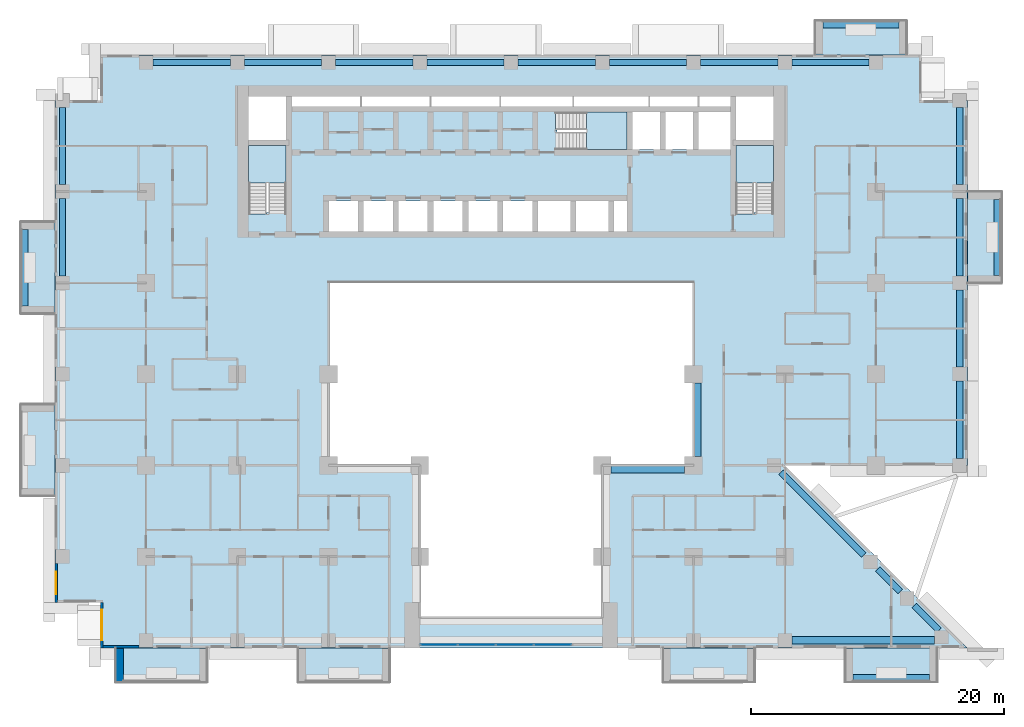
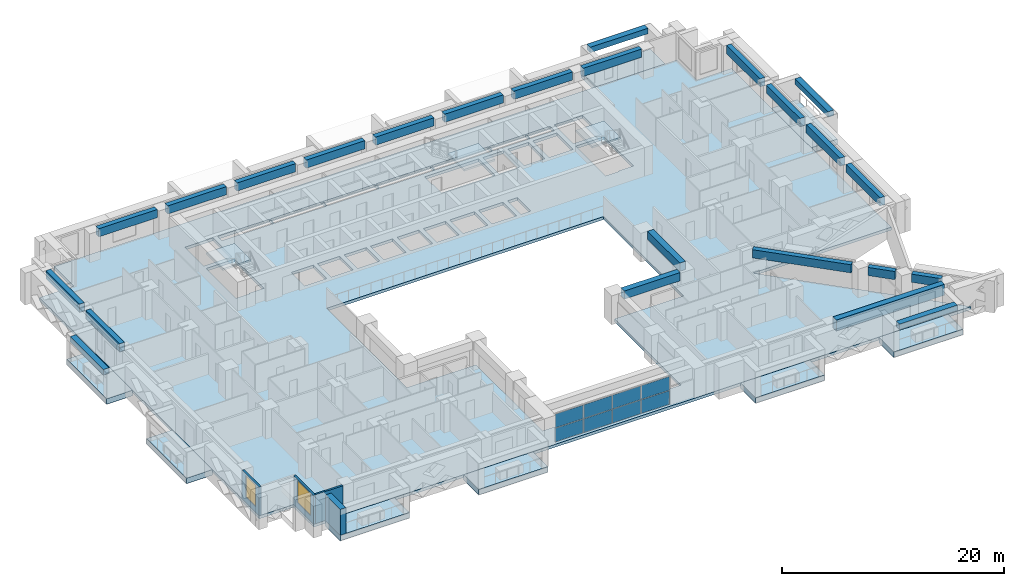
# One storey, part 5 of 17: 24 beams, 12 slabs, 8 plates, 4 walls, 2 windows, 2 openings, 4 elements without a shape of their own.
"""IFC4 building model written with IfcOpenShell, lengths in metres."""

from ifc_helpers import new_model, si_unit, direction, frame, frame_2d, origin, origin_2d, place, context, subcontext, project, spatial, polyline, rectangle, outline, extrude, source, transform, mapped, material, layer, layer_set, material_profile, profile_set, type_object, element, fill, aggregate, save


model = new_model("IFC4")

# Units and contexts
model_context = context("Model", 3, precision=1e-05, world=origin(), true_north=direction((0.0, 1.0)))
body_context = subcontext(model_context, "Body", "Model", "MODEL_VIEW")
ifc_project = project(units=[si_unit("LENGTHUNIT", "METRE"), si_unit("AREAUNIT", "SQUARE_METRE"), si_unit("VOLUMEUNIT", "CUBIC_METRE"), si_unit("PLANEANGLEUNIT", "RADIAN"), si_unit("MASSUNIT", "GRAM", prefix="KILO")], contexts=[model_context])

# Site, building, storey
site_placement = place(None, origin())
site = spatial("IfcSite", under=ifc_project, at=site_placement, CompositionType="ELEMENT")
building_placement = place(site_placement, origin())
building = spatial("IfcBuilding", under=site, at=building_placement, Name="Saffron Iwan Residences", CompositionType="ELEMENT")
storey_placement = place(building_placement, frame((0.0, 0.0, 41.0)))
storey = spatial("IfcBuildingStorey", under=building, at=storey_placement, Name="L09", CompositionType="ELEMENT", Elevation=41.0)

# Beams
ifc_material_1 = material(Name="Concrete C60/75", Category="concrete")
ifc_material_profile_1 = material_profile(ifc_material_1, rectangle(XDim=0.5, YDim=0.89990234375, at=origin_2d()), Name="RC 500x900")
ifc_profile_set_1 = profile_set([ifc_material_profile_1], Name="Concrete C60/75")
beam_type_1 = type_object("IfcBeamType", Name="SPANDREL BEAM RC 500x900 C60/75 TOP 3180", PredefinedType="SPANDREL", material=ifc_profile_set_1)
shared_shape_1 = source(origin(), body_context, "Body", "SweptSolid", [
    extrude(rectangle(XDim=0.5, YDim=0.89990234375, at=origin_2d()), origin(), (0.0, 0.0, 1.0), 6.10009765625),
])
for number, where, z_axis, x_axis, name in (
    (1, (85.800048828125, 61.85009765625, 2.72998046875), (0.0, -1.0, 0.0), (1.0, 0.0, 0.0), "Spandrel beam"),
    (2, (15.0, 62.949951171875, 2.72998046875), (0.0, 1.0, 0.0), (-1.0, 0.0, 0.0), "Spandrel beam"),
    (3, (85.800048828125, 69.050048828125, 2.72998046875), (0.0, -1.0, 0.0), (1.0, 0.0, 0.0), "Spandrel beam"),
    (4, (15.0, 70.14990234375, 2.72998046875), (0.0, 1.0, 0.0), (-1.0, 0.0, 0.0), "Spandrel beam"),
    (5, (85.800048828125, 76.25, 2.72998046875), (0.0, -1.0, 0.0), (1.0, 0.0, 0.0), "Spandrel beam"),
    (6, (22.14990234375, 79.800048828125, 2.72998046875), (1.0, 0.0, 0.0), (0.0, 1.0, 0.0), "Spandrel beam"),
    (7, (43.75, 79.800048828125, 2.72998046875), (1.0, 0.0, 0.0), (0.0, 1.0, 0.0), "Spandrel beam"),
    (8, (50.949951171875, 79.800048828125, 2.72998046875), (1.0, 0.0, 0.0), (0.0, 1.0, 0.0), "Spandrel beam"),
    (9, (58.14990234375, 79.800048828125, 2.72998046875), (1.0, 0.0, 0.0), (0.0, 1.0, 0.0), "Spandrel beam"),
):
    element("IfcBeam", number, at=place(storey_placement, frame(where, z_axis=z_axis, x_axis=x_axis)), inside=storey, type_object=beam_type_1, Name=name, PredefinedType="SPANDREL", context=body_context, shape_type="MappedRepresentation", body=[
        mapped(shared_shape_1, transform((0.0, 0.0, 0.0))),
    ])
shared_shape_2 = source(origin(), body_context, "Body", "SweptSolid", [
    extrude(rectangle(XDim=0.5, YDim=0.89990234375, at=origin_2d()), origin(), (0.0, 0.0, 1.0), 6.099853515625),
])
for number, where, z_axis, x_axis, name in (
    (10, (85.800048828125, 54.64990234375, 2.72998046875), (0.0, -1.0, 0.0), (1.0, 0.0, 0.0), "Spandrel beam"),
    (11, (29.35009765625, 79.800048828125, 2.72998046875), (1.0, 0.0, 0.0), (0.0, 1.0, 0.0), "Spandrel beam"),
    (12, (36.550048828125, 79.800048828125, 2.72998046875), (1.0, 0.0, 0.0), (0.0, 1.0, 0.0), "Spandrel beam"),
    (13, (65.35009765625, 79.800048828125, 2.72998046875), (1.0, 0.0, 0.0), (0.0, 1.0, 0.0), "Spandrel beam"),
    (14, (72.550048828125, 79.800048828125, 2.72998046875), (1.0, 0.0, 0.0), (0.0, 1.0, 0.0), "Spandrel beam"),
):
    element("IfcBeam", number, at=place(storey_placement, frame(where, z_axis=z_axis, x_axis=x_axis)), inside=storey, type_object=beam_type_1, Name=name, PredefinedType="SPANDREL", context=body_context, shape_type="MappedRepresentation", body=[
        mapped(shared_shape_2, transform((0.0, 0.0, 0.0))),
    ])
shared_shape_3 = source(origin(), body_context, "Body", "SweptSolid", [
    extrude(rectangle(XDim=0.5, YDim=0.89990234375, at=origin_2d()), origin(), (0.0, 0.0, 1.0), 2.76318359375),
])
beam_1_placement = place(storey_placement, frame((82.205810546875, 36.94580078125, 2.72998046875), z_axis=(0.707106781187, -0.707106781187, 0.0), x_axis=(0.707106781187, 0.707106781187, 0.0)))
element("IfcBeam", 15, at=beam_1_placement, inside=storey, type_object=beam_type_1, Name="Spandrel beam", PredefinedType="SPANDREL", context=body_context, shape_type="MappedRepresentation", body=[
    mapped(shared_shape_3, transform((0.0, 0.0, 0.0))),
])
shared_shape_4 = source(origin(), body_context, "Body", "SweptSolid", [
    extrude(rectangle(XDim=0.5, YDim=0.89990234375, at=origin_2d()), origin(), (0.0, 0.0, 1.0), 2.517333984375),
])
beam_2_placement = place(storey_placement, frame((79.32568359375, 39.82568359375, 2.72998046875), z_axis=(0.707106781187, -0.707106781187, 0.0), x_axis=(0.707106781187, 0.707106781187, 0.0)))
element("IfcBeam", 16, at=beam_2_placement, inside=storey, type_object=beam_type_1, Name="Spandrel beam", PredefinedType="SPANDREL", context=body_context, shape_type="MappedRepresentation", body=[
    mapped(shared_shape_4, transform((0.0, 0.0, 0.0))),
])
shared_shape_5 = source(origin(), body_context, "Body", "SweptSolid", [
    extrude(rectangle(XDim=0.5, YDim=0.89990234375, at=origin_2d()), origin(), (0.0, 0.0, 1.0), 9.228759765625),
])
beam_3_placement = place(storey_placement, frame((71.699951171875, 47.451416015625, 2.72998046875), z_axis=(0.707120008149, -0.707093553977, 0.0), x_axis=(0.707093553977, 0.707120008149, 0.0)))
element("IfcBeam", 17, at=beam_3_placement, inside=storey, type_object=beam_type_1, Name="Spandrel beam", PredefinedType="SPANDREL", context=body_context, shape_type="MappedRepresentation", body=[
    mapped(shared_shape_5, transform((0.0, 0.0, 0.0))),
])
ifc_material_profile_2 = material_profile(ifc_material_1, rectangle(XDim=0.60009765625, YDim=1.199951171875, at=origin_2d()), Name="RC 600x1200")
ifc_profile_set_2 = profile_set([ifc_material_profile_2], Name="Concrete C60/75")
beam_type_2 = type_object("IfcBeamType", Name="LINTEL BEAM RC 600x1200 C60/75 TOP 3180", PredefinedType="LINTEL", material=ifc_profile_set_2)
shared_shape_6 = source(origin(), body_context, "Body", "SweptSolid", [
    extrude(rectangle(XDim=0.60009765625, YDim=1.199951171875, at=origin_2d()), origin(), (0.0, 0.0, 1.0), 11.267333984375),
])
beam_4_placement = place(storey_placement, frame((83.8173828125, 34.199951171875, 2.580078125), z_axis=(-1.0, 0.0, 0.0), x_axis=(0.0, -1.0, 0.0)))
element("IfcBeam", 18, at=beam_4_placement, inside=storey, type_object=beam_type_2, Name="Lintel beam over the iwan", PredefinedType="LINTEL", context=body_context, shape_type="MappedRepresentation", body=[
    mapped(shared_shape_6, transform((0.0, 0.0, 0.0))),
])
ifc_material_profile_3 = material_profile(ifc_material_1, rectangle(XDim=0.60009765625, YDim=0.89990234375, at=origin_2d()), Name="RC 600x900")
ifc_profile_set_3 = profile_set([ifc_material_profile_3], Name="Concrete C60/75")
beam_type_3 = type_object("IfcBeamType", Name="BEAM RC 600x900 C60/75 TOP 3180", PredefinedType="BEAM", material=ifc_profile_set_3)
shared_shape_7 = source(origin(), body_context, "Body", "SweptSolid", [
    extrude(rectangle(XDim=0.60009765625, YDim=0.89990234375, at=origin_2d()), origin(), (0.0, 0.0, 1.0), 5.800048828125),
])
for number, where, z_axis, x_axis, name in (
    (19, (64.10009765625, 47.699951171875, 2.72998046875), (-1.0, 0.0, 0.0), (0.0, -1.0, 0.0), "Atrium edge beam"),
    (20, (65.10009765625, 54.5, 2.72998046875), (0.0, -1.0, 0.0), (1.0, 0.0, 0.0), "Atrium edge beam"),
):
    element("IfcBeam", number, at=place(storey_placement, frame(where, z_axis=z_axis, x_axis=x_axis)), inside=storey, type_object=beam_type_3, Name=name, PredefinedType="BEAM", context=body_context, shape_type="MappedRepresentation", body=[
        mapped(shared_shape_7, transform((0.0, 0.0, 0.0))),
    ])
ifc_material_2 = material(Name="Concrete C50/60 white painted", Category="concrete")
ifc_material_profile_4 = material_profile(ifc_material_2, rectangle(XDim=0.60009765625, YDim=0.60009765625, at=origin_2d()), Name="BALCONY FASCIA BEAM 600 x 600")
ifc_profile_set_4 = profile_set([ifc_material_profile_4], Name="Concrete C50/60 white painted")
beam_type_4 = type_object("IfcBeamType", Name="BALCONY FASCIA BEAM 600 x 600", PredefinedType="BEAM", material=ifc_profile_set_4)
shared_shape_8 = source(origin(), body_context, "Body", "SweptSolid", [
    extrude(rectangle(XDim=0.60009765625, YDim=0.60009765625, at=origin_2d()), origin(), (0.0, 0.0, 1.0), 6.0),
])
for number, where, z_axis, x_axis, name in (
    (21, (88.800048828125, 63.0, 2.550048828125), (0.0, 1.0, 0.0), (-1.0, 0.0, 0.0), "Balcony fascia beam L09 F2-0"),
    (22, (81.0, 82.800048828125, 2.550048828125), (-1.0, 0.0, 0.0), (0.0, -1.0, 0.0), "Balcony fascia beam L09 F5-0"),
    (23, (12.0, 66.60009765625, 2.550048828125), (0.0, -1.0, 0.0), (1.0, 0.0, 0.0), "Balcony fascia beam L09 F8-0"),
    (24, (77.39990234375, 31.199951171875, 2.550048828125), (1.0, 0.0, 0.0), (0.0, 1.0, 0.0), "Balcony fascia beam L09 11-3"),
):
    element("IfcBeam", number, at=place(storey_placement, frame(where, z_axis=z_axis, x_axis=x_axis)), inside=storey, type_object=beam_type_4, Name=name, PredefinedType="BEAM", context=body_context, shape_type="MappedRepresentation", body=[
        mapped(shared_shape_8, transform((0.0, 0.0, 0.0))),
    ])

# Slabs
ifc_layer_1 = layer(ifc_material_2, 0.60009765625)
ifc_layer_set_1 = layer_set([ifc_layer_1], Name="Concrete C50/60 white painted")
slab_type_1 = type_object("IfcSlabType", Name="BALCONY FRAME SLAB 600", PredefinedType="FLOOR", material=ifc_layer_set_1)
slab_1_placement = place(storey_placement, frame((0.0, 0.0, -0.60009765625)))
element("IfcSlab", 25, at=slab_1_placement, inside=storey, type_object=slab_type_1, Name="Balcony frame slab L09 F2-0", PredefinedType="FLOOR", context=body_context, shape_type="SweptSolid", body=[
    extrude(outline(polyline([(89.10009765625, 62.39990234375), (89.10009765625, 69.60009765625), (86.39990234375, 69.60009765625), (86.39990234375, 62.39990234375), (89.10009765625, 62.39990234375)])), origin(), (0.0, 0.0, 1.0), 0.60009765625),
])
slab_2_placement = place(storey_placement, frame((0.0, 0.0, -0.60009765625)))
element("IfcSlab", 26, at=slab_2_placement, inside=storey, type_object=slab_type_1, Name="Balcony frame slab L09 F5-0", PredefinedType="FLOOR", context=body_context, shape_type="SweptSolid", body=[
    extrude(outline(polyline([(81.60009765625, 83.10009765625), (74.39990234375, 83.10009765625), (74.39990234375, 80.39990234375), (81.60009765625, 80.39990234375), (81.60009765625, 83.10009765625)])), origin(), (0.0, 0.0, 1.0), 0.60009765625),
])
slab_3_placement = place(storey_placement, frame((0.0, 0.0, -0.60009765625)))
element("IfcSlab", 27, at=slab_3_placement, inside=storey, type_object=slab_type_1, Name="Balcony frame slab L09 F8-0", PredefinedType="FLOOR", context=body_context, shape_type="SweptSolid", body=[
    extrude(outline(polyline([(11.699951171875, 67.199951171875), (11.699951171875, 60.0), (14.39990234375, 60.0), (14.39990234375, 67.199951171875), (11.699951171875, 67.199951171875)])), origin(), (0.0, 0.0, 1.0), 0.60009765625),
])
slab_4_placement = place(storey_placement, frame((0.0, 0.0, -0.60009765625)))
element("IfcSlab", 28, at=slab_4_placement, inside=storey, type_object=slab_type_1, Name="Balcony frame slab L09 F8-1", PredefinedType="FLOOR", context=body_context, shape_type="SweptSolid", body=[
    extrude(outline(polyline([(11.699951171875, 52.800048828125), (11.699951171875, 45.60009765625), (14.39990234375, 45.60009765625), (14.39990234375, 52.800048828125), (11.699951171875, 52.800048828125)])), origin(), (0.0, 0.0, 1.0), 0.60009765625),
])
slab_5_placement = place(storey_placement, frame((0.0, 0.0, -0.60009765625)))
element("IfcSlab", 29, at=slab_5_placement, inside=storey, type_object=slab_type_1, Name="Balcony frame slab L09 11-0", PredefinedType="FLOOR", context=body_context, shape_type="SweptSolid", body=[
    extrude(outline(polyline([(19.199951171875, 30.89990234375), (26.39990234375, 30.89990234375), (26.39990234375, 33.60009765625), (19.199951171875, 33.60009765625), (19.199951171875, 30.89990234375)])), origin(), (0.0, 0.0, 1.0), 0.60009765625),
])
slab_6_placement = place(storey_placement, frame((0.0, 0.0, -0.60009765625)))
element("IfcSlab", 30, at=slab_6_placement, inside=storey, type_object=slab_type_1, Name="Balcony frame slab L09 11-1", PredefinedType="FLOOR", context=body_context, shape_type="SweptSolid", body=[
    extrude(outline(polyline([(33.60009765625, 30.89990234375), (40.800048828125, 30.89990234375), (40.800048828125, 33.60009765625), (33.60009765625, 33.60009765625), (33.60009765625, 30.89990234375)])), origin(), (0.0, 0.0, 1.0), 0.60009765625),
])
slab_7_placement = place(storey_placement, frame((0.0, 0.0, -0.60009765625)))
element("IfcSlab", 31, at=slab_7_placement, inside=storey, type_object=slab_type_1, Name="Balcony frame slab L09 11-2", PredefinedType="FLOOR", context=body_context, shape_type="SweptSolid", body=[
    extrude(outline(polyline([(62.39990234375, 30.89990234375), (69.60009765625, 30.89990234375), (69.60009765625, 33.60009765625), (62.39990234375, 33.60009765625), (62.39990234375, 30.89990234375)])), origin(), (0.0, 0.0, 1.0), 0.60009765625),
])
slab_8_placement = place(storey_placement, frame((0.0, 0.0, -0.60009765625)))
element("IfcSlab", 32, at=slab_8_placement, inside=storey, type_object=slab_type_1, Name="Balcony frame slab L09 11-3", PredefinedType="FLOOR", context=body_context, shape_type="SweptSolid", body=[
    extrude(outline(polyline([(76.800048828125, 30.89990234375), (84.0, 30.89990234375), (84.0, 33.60009765625), (76.800048828125, 33.60009765625), (76.800048828125, 30.89990234375)])), origin(), (0.0, 0.0, 1.0), 0.60009765625),
])
ifc_material_3 = material(Name="Concrete C40/50", Category="concrete")
ifc_layer_2 = layer(ifc_material_3, 0.320068359375)
ifc_layer_set_2 = layer_set([ifc_layer_2], Name="Concrete C40/50")
slab_type_2 = type_object("IfcSlabType", Name="PT PLATE 320 C40/50", PredefinedType="FLOOR", material=ifc_layer_set_2)
slab_9_placement = place(storey_placement, frame((0.0, 0.0, -0.320068359375)))
element("IfcSlab", 33, at=slab_9_placement, inside=storey, type_object=slab_type_2, Name="Floor slab L09", PredefinedType="FLOOR", context=body_context, shape_type="SweptSolid", body=[
    extrude(outline(polyline([(14.39990234375, 37.199951171875), (14.39990234375, 76.800048828125), (18.0, 76.800048828125), (18.0, 80.39990234375), (82.800048828125, 80.39990234375), (82.800048828125, 76.800048828125), (86.39990234375, 76.800048828125), (86.39990234375, 48.0), (72.0, 48.0), (86.39990234375, 33.60009765625), (18.0, 33.60009765625), (18.0, 37.199951171875), (14.39990234375, 37.199951171875)]), holes=[polyline([(64.800048828125, 48.0), (64.800048828125, 62.39990234375), (36.0, 62.39990234375), (36.0, 48.0), (43.199951171875, 48.0), (43.199951171875, 36.0), (57.60009765625, 36.0), (57.60009765625, 48.0), (64.800048828125, 48.0)]), polyline([(38.324951171875, 68.875), (36.02490234375, 68.875), (36.02490234375, 66.449951171875), (38.324951171875, 66.449951171875), (38.324951171875, 68.875)]), polyline([(41.074951171875, 66.449951171875), (41.074951171875, 68.875), (38.77490234375, 68.875), (38.77490234375, 66.449951171875), (41.074951171875, 66.449951171875)]), polyline([(43.824951171875, 66.449951171875), (43.824951171875, 68.875), (41.52490234375, 68.875), (41.52490234375, 66.449951171875), (43.824951171875, 66.449951171875)]), polyline([(46.574951171875, 68.875), (44.27490234375, 68.875), (44.27490234375, 66.449951171875), (46.574951171875, 66.449951171875), (46.574951171875, 68.875)]), polyline([(49.324951171875, 66.449951171875), (49.324951171875, 68.875), (47.02490234375, 68.875), (47.02490234375, 66.449951171875), (49.324951171875, 66.449951171875)]), polyline([(52.074951171875, 66.449951171875), (52.074951171875, 68.875), (49.77490234375, 68.875), (49.77490234375, 66.449951171875), (52.074951171875, 66.449951171875)]), polyline([(29.699951171875, 73.25), (29.699951171875, 67.949951171875), (29.699951171875, 67.8505859375), (31.10009765625, 67.8505859375), (31.10009765625, 67.949951171875), (32.64990234375, 67.949951171875), (32.64990234375, 73.25), (29.699951171875, 73.25)]), polyline([(32.64990234375, 73.699951171875), (32.64990234375, 77.10009765625), (29.699951171875, 77.10009765625), (29.699951171875, 73.699951171875), (32.64990234375, 73.699951171875)]), polyline([(38.5, 76.324951171875), (38.5, 77.10009765625), (33.10009765625, 77.10009765625), (33.10009765625, 76.324951171875), (38.5, 76.324951171875)]), polyline([(44.0, 77.10009765625), (38.60009765625, 77.10009765625), (38.60009765625, 76.324951171875), (44.0, 76.324951171875), (44.0, 77.10009765625)]), polyline([(49.5, 76.324951171875), (49.5, 77.10009765625), (44.10009765625, 77.10009765625), (44.10009765625, 76.324951171875), (49.5, 76.324951171875)]), polyline([(55.25, 76.324951171875), (55.25, 77.10009765625), (49.60009765625, 77.10009765625), (49.60009765625, 76.324951171875), (55.25, 76.324951171875)]), polyline([(55.074951171875, 68.875), (52.52490234375, 68.875), (52.52490234375, 66.449951171875), (55.074951171875, 66.449951171875), (55.074951171875, 68.875)]), polyline([(58.074951171875, 66.449951171875), (58.074951171875, 68.875), (55.52490234375, 68.875), (55.52490234375, 66.449951171875), (58.074951171875, 66.449951171875)]), polyline([(59.550048828125, 66.449951171875), (59.550048828125, 68.875), (58.52490234375, 68.875), (58.52490234375, 66.449951171875), (59.550048828125, 66.449951171875)]), polyline([(68.14990234375, 73.25), (68.14990234375, 67.949951171875), (68.14990234375, 67.8505859375), (69.550048828125, 67.8505859375), (69.550048828125, 67.949951171875), (71.10009765625, 67.949951171875), (71.10009765625, 73.25), (68.14990234375, 73.25)]), polyline([(53.925537109375, 74.47509765625), (54.02490234375, 74.47509765625), (54.02490234375, 72.925048828125), (59.550048828125, 72.925048828125), (59.550048828125, 75.875), (54.02490234375, 75.875), (53.925537109375, 75.875), (53.925537109375, 74.47509765625)]), polyline([(62.14990234375, 72.925048828125), (62.14990234375, 75.875), (60.0, 75.875), (60.0, 72.925048828125), (62.14990234375, 72.925048828125)]), polyline([(64.75, 75.875), (62.60009765625, 75.875), (62.60009765625, 72.925048828125), (64.75, 72.925048828125), (64.75, 75.875)]), polyline([(67.699951171875, 72.925048828125), (67.699951171875, 75.875), (65.199951171875, 75.875), (65.199951171875, 72.925048828125), (67.699951171875, 72.925048828125)]), polyline([(71.10009765625, 73.699951171875), (71.10009765625, 77.10009765625), (68.14990234375, 77.10009765625), (68.14990234375, 73.699951171875), (71.10009765625, 73.699951171875)]), polyline([(61.25, 77.10009765625), (55.35009765625, 77.10009765625), (55.35009765625, 76.324951171875), (61.25, 76.324951171875), (61.25, 77.10009765625)]), polyline([(65.14990234375, 76.324951171875), (65.14990234375, 77.10009765625), (61.35009765625, 77.10009765625), (61.35009765625, 76.324951171875), (65.14990234375, 76.324951171875)]), polyline([(67.699951171875, 76.324951171875), (67.699951171875, 77.10009765625), (65.25, 77.10009765625), (65.25, 76.324951171875), (67.699951171875, 76.324951171875)])]), origin(), (0.0, 0.0, 1.0), 0.320068359375),
])

# Stair, slab
ifc_material_4 = material(Name="Concrete C50/60", Category="concrete")
stair_type = type_object("IfcStairType", Name="Stair ST-CORE", PredefinedType="HALF_TURN_STAIR", material=ifc_material_4)
stair_1_placement = place(storey_placement, origin())
stair_1 = element("IfcStair", 34, at=stair_1_placement, inside=storey, type_object=stair_type, Name="L09 Exit Stair ST-W", PredefinedType="HALF_TURN_STAIR")
ifc_layer_3 = layer(ifc_material_4, 0.199951171875)
ifc_layer_set_3 = layer_set([ifc_layer_3], Name="Concrete C50/60")
slab_type_3 = type_object("IfcSlabType", Name="Stair landing SL-RC", PredefinedType="LANDING", material=ifc_layer_set_3)
slab_10_placement = place(storey_placement, frame((0.0, 0.0, 1.5498046875)))
slab_10 = element("IfcSlab", 35, at=slab_10_placement, type_object=slab_type_3, Name="ST-W landing 1", PredefinedType="LANDING", context=body_context, shape_type="SweptSolid", body=[
    extrude(outline(polyline([(32.64990234375, 70.280029296875), (32.64990234375, 73.25), (29.699951171875, 73.25), (29.699951171875, 70.280029296875), (32.64990234375, 70.280029296875)])), origin(), (0.0, 0.0, 1.0), 0.2001953125),
])
aggregate(stair_1, [slab_10])

stair_2_placement = place(storey_placement, origin())
stair_2 = element("IfcStair", 36, at=stair_2_placement, inside=storey, type_object=stair_type, Name="L09 Exit Stair ST-C", PredefinedType="HALF_TURN_STAIR")
slab_11_placement = place(storey_placement, frame((0.0, 0.0, 1.5498046875)))
slab_11 = element("IfcSlab", 37, at=slab_11_placement, type_object=slab_type_3, Name="ST-C landing 1", PredefinedType="LANDING", context=body_context, shape_type="SweptSolid", body=[
    extrude(outline(polyline([(56.35498046875, 72.925048828125), (59.550048828125, 72.925048828125), (59.550048828125, 75.875), (56.35498046875, 75.875), (56.35498046875, 72.925048828125)])), origin(), (0.0, 0.0, 1.0), 0.2001953125),
])
aggregate(stair_2, [slab_11])

stair_3_placement = place(storey_placement, origin())
stair_3 = element("IfcStair", 38, at=stair_3_placement, inside=storey, type_object=stair_type, Name="L09 Exit Stair ST-E", PredefinedType="HALF_TURN_STAIR")
slab_12_placement = place(storey_placement, frame((0.0, 0.0, 1.5498046875)))
slab_12 = element("IfcSlab", 39, at=slab_12_placement, type_object=slab_type_3, Name="ST-E landing 1", PredefinedType="LANDING", context=body_context, shape_type="SweptSolid", body=[
    extrude(outline(polyline([(71.10009765625, 70.280029296875), (71.10009765625, 73.25), (68.14990234375, 73.25), (68.14990234375, 70.280029296875), (71.10009765625, 70.280029296875)])), origin(), (0.0, 0.0, 1.0), 0.2001953125),
])
aggregate(stair_3, [slab_12])

# Curtain wall, plates
ifc_material_5 = material(Name="Clear glass, laminated double glazed", Category="glass")
ifc_layer_4 = layer(ifc_material_5, 0.199951171875)
ifc_layer_set_4 = layer_set([ifc_layer_4], Name="Clear glass, laminated double glazed")
curtain_wall_type = type_object("IfcCurtainWallType", Name="CW-B IWAN PORTAL", PredefinedType="NOTDEFINED", material=ifc_layer_set_4)
curtain_wall_placement = place(storey_placement, origin())
curtain_wall = element("IfcCurtainWall", 40, at=curtain_wall_placement, inside=storey, type_object=curtain_wall_type, Name="Iwan portal glazing L09.1", PredefinedType="NOTDEFINED")
ifc_layer_5 = layer(ifc_material_5, 0.028076171875)
ifc_layer_set_5 = layer_set([ifc_layer_5], Name="Clear glass, laminated double glazed")
plate_type = type_object("IfcPlateType", Name="CW-B PANEL 28", PredefinedType="CURTAIN_PANEL", material=ifc_layer_set_5)
shared_shape_9 = source(origin(), body_context, "Body", "SweptSolid", [
    extrude(rectangle(XDim=2.909912109375, YDim=0.028076171875, at=origin_2d()), origin(), (0.0, 0.0, 1.0), 1.5),
])
plate_1_placement = place(storey_placement, frame((44.715087890625, 33.85009765625, 0.06005859375), z_axis=(0.0, 0.0, 1.0), x_axis=(1.0, 0.0, 0.0)))
plate_1 = element("IfcPlate", 41, at=plate_1_placement, type_object=plate_type, Name="CW-B panel 1.1", PredefinedType="CURTAIN_PANEL", context=body_context, shape_type="MappedRepresentation", body=[
    mapped(shared_shape_9, transform((0.0, 0.0, 0.0))),
])
plate_2_placement = place(storey_placement, frame((44.715087890625, 33.85009765625, 1.6201171875), z_axis=(0.0, 0.0, 1.0), x_axis=(1.0, 0.0, 0.0)))
plate_2 = element("IfcPlate", 42, at=plate_2_placement, type_object=plate_type, Name="CW-B panel 1.2", PredefinedType="CURTAIN_PANEL", context=body_context, shape_type="MappedRepresentation", body=[
    mapped(shared_shape_9, transform((0.0, 0.0, 0.0))),
])
plate_3_placement = place(storey_placement, frame((53.68505859375, 33.85009765625, 0.06005859375), z_axis=(0.0, 0.0, 1.0), x_axis=(1.0, 0.0, 0.0)))
plate_3 = element("IfcPlate", 43, at=plate_3_placement, type_object=plate_type, Name="CW-B panel 4.1", PredefinedType="CURTAIN_PANEL", context=body_context, shape_type="MappedRepresentation", body=[
    mapped(shared_shape_9, transform((0.0, 0.0, 0.0))),
])
plate_4_placement = place(storey_placement, frame((53.68505859375, 33.85009765625, 1.6201171875), z_axis=(0.0, 0.0, 1.0), x_axis=(1.0, 0.0, 0.0)))
plate_4 = element("IfcPlate", 44, at=plate_4_placement, type_object=plate_type, Name="CW-B panel 4.2", PredefinedType="CURTAIN_PANEL", context=body_context, shape_type="MappedRepresentation", body=[
    mapped(shared_shape_9, transform((0.0, 0.0, 0.0))),
])
shared_shape_10 = source(origin(), body_context, "Body", "SweptSolid", [
    extrude(rectangle(XDim=2.93994140625, YDim=0.028076171875, at=origin_2d()), origin(), (0.0, 0.0, 1.0), 1.5),
])
plate_5_placement = place(storey_placement, frame((47.699951171875, 33.85009765625, 0.06005859375), z_axis=(0.0, 0.0, 1.0), x_axis=(1.0, 0.0, 0.0)))
plate_5 = element("IfcPlate", 45, at=plate_5_placement, type_object=plate_type, Name="CW-B panel 2.1", PredefinedType="CURTAIN_PANEL", context=body_context, shape_type="MappedRepresentation", body=[
    mapped(shared_shape_10, transform((0.0, 0.0, 0.0))),
])
plate_6_placement = place(storey_placement, frame((47.699951171875, 33.85009765625, 1.6201171875), z_axis=(0.0, 0.0, 1.0), x_axis=(1.0, 0.0, 0.0)))
plate_6 = element("IfcPlate", 46, at=plate_6_placement, type_object=plate_type, Name="CW-B panel 2.2", PredefinedType="CURTAIN_PANEL", context=body_context, shape_type="MappedRepresentation", body=[
    mapped(shared_shape_10, transform((0.0, 0.0, 0.0))),
])
plate_7_placement = place(storey_placement, frame((50.699951171875, 33.85009765625, 0.06005859375), z_axis=(0.0, 0.0, 1.0), x_axis=(1.0, 0.0, 0.0)))
plate_7 = element("IfcPlate", 47, at=plate_7_placement, type_object=plate_type, Name="CW-B panel 3.1", PredefinedType="CURTAIN_PANEL", context=body_context, shape_type="MappedRepresentation", body=[
    mapped(shared_shape_10, transform((0.0, 0.0, 0.0))),
])
plate_8_placement = place(storey_placement, frame((50.699951171875, 33.85009765625, 1.6201171875), z_axis=(0.0, 0.0, 1.0), x_axis=(1.0, 0.0, 0.0)))
plate_8 = element("IfcPlate", 48, at=plate_8_placement, type_object=plate_type, Name="CW-B panel 3.2", PredefinedType="CURTAIN_PANEL", context=body_context, shape_type="MappedRepresentation", body=[
    mapped(shared_shape_10, transform((0.0, 0.0, 0.0))),
])
aggregate(curtain_wall, [plate_1, plate_2, plate_5, plate_6, plate_7, plate_8, plate_3, plate_4])

# Wall
ifc_layer_6 = layer(ifc_material_2, 0.60009765625)
ifc_layer_set_6 = layer_set([ifc_layer_6], Name="Concrete C50/60 white painted")
wall_type_1 = type_object("IfcWallType", Name="BALCONY FIN 600", PredefinedType="SOLIDWALL", material=ifc_layer_set_6)
wall_1_placement = place(storey_placement, frame((19.5, 33.550048828125, 0.0), z_axis=(0.0, 0.0, 1.0), x_axis=(0.0, -1.0, 0.0)))
element("IfcWall", 49, at=wall_1_placement, inside=storey, type_object=wall_type_1, Name="Balcony fin L09 11-0a", PredefinedType="SOLIDWALL", context=body_context, shape_type="SweptSolid", body=[
    extrude(rectangle(XDim=2.650146484375, YDim=0.60009765625, at=frame_2d((1.3251953125, 0.0))), origin(), (0.0, 0.0, 1.0), 2.85009765625),
])

# Wall, opening, window
ifc_layer_7 = layer(ifc_material_3, 0.199951171875)
ifc_layer_set_7 = layer_set([ifc_layer_7], Name="Concrete C40/50")
wall_type_2 = type_object("IfcWallType", Name="EXTERNAL WALL 200", PredefinedType="SOLIDWALL", material=ifc_layer_set_7)
wall_2_placement = place(storey_placement, frame((14.5, 40.25, 0.0), z_axis=(0.0, 0.0, 1.0), x_axis=(0.0, -1.0, 0.0)))
wall_2 = element("IfcWall", 50, at=wall_2_placement, inside=storey, type_object=wall_type_2, Name="External wall L09 F8.5", PredefinedType="SOLIDWALL", context=body_context, shape_type="SweptSolid", body=[
    extrude(rectangle(XDim=3.050048828125, YDim=0.199951171875, at=frame_2d((1.52490234375, 0.0))), origin(), (0.0, 0.0, 1.0), 3.179931640625),
])
opening_1_placement = place(wall_2_placement, frame((0.625, 0.0, 0.60009765625)))
opening_1 = element("IfcOpeningElement", 51, at=opening_1_placement, cuts=wall_2, Name="Opening W8", PredefinedType="OPENING", context=body_context, shape_type="SweptSolid", body=[
    extrude(rectangle(XDim=1.800048828125, YDim=2.39990234375, at=frame_2d((0.89990234375, 1.199951171875))), frame((0.0, 0.10986328125, 0.0), z_axis=(0.0, -1.0, 0.0), x_axis=(1.0, 0.0, 0.0)), (0.0, 0.0, 1.0), 0.219970703125),
])
window_type_1 = type_object("IfcWindowType", Name="WINDOW 1800 x 2400", PartitioningType="DOUBLE_PANEL_VERTICAL", PredefinedType="WINDOW", material=ifc_material_5)
window_1_placement = place(opening_1_placement, origin())
window_1 = element("IfcWindow", 52, at=window_1_placement, inside=storey, type_object=window_type_1, Name="Window L09 F8.0", OverallHeight=2.39990234375, OverallWidth=1.800048828125, PartitioningType="DOUBLE_PANEL_VERTICAL", PredefinedType="WINDOW", context=body_context, shape_type="SweptSolid", body=[
    extrude(rectangle(XDim=1.800048828125, YDim=2.39990234375, at=frame_2d((0.89990234375, 1.199951171875))), frame((0.0, 0.030029296875, 0.0), z_axis=(0.0, -1.0, 0.0), x_axis=(1.0, 0.0, 0.0)), (0.0, 0.0, 1.0), 0.06005859375),
])
fill(opening_1, window_1)

wall_3_placement = place(storey_placement, frame((18.10009765625, 37.199951171875, 0.0), z_axis=(0.0, 0.0, 1.0), x_axis=(0.0, -1.0, 0.0)))
wall_3 = element("IfcWall", 53, at=wall_3_placement, inside=storey, type_object=wall_type_2, Name="External wall L09 F10.0", PredefinedType="SOLIDWALL", context=body_context, shape_type="SweptSolid", body=[
    extrude(rectangle(XDim=3.599853515625, YDim=0.199951171875, at=frame_2d((1.7998046875, 0.0))), origin(), (0.0, 0.0, 1.0), 3.179931640625),
])
opening_2_placement = place(wall_3_placement, frame((0.60009765625, 0.0, 0.60009765625)))
opening_2 = element("IfcOpeningElement", 54, at=opening_2_placement, cuts=wall_3, Name="Opening W1", PredefinedType="OPENING", context=body_context, shape_type="SweptSolid", body=[
    extrude(rectangle(XDim=2.39990234375, YDim=2.39990234375, at=frame_2d((1.199951171875, 1.199951171875))), frame((0.0, 0.10986328125, 0.0), z_axis=(0.0, -1.0, 0.0), x_axis=(1.0, 0.0, 0.0)), (0.0, 0.0, 1.0), 0.219970703125),
])
window_type_2 = type_object("IfcWindowType", Name="WINDOW 2400 x 2400", PartitioningType="DOUBLE_PANEL_VERTICAL", PredefinedType="WINDOW", material=ifc_material_5)
window_2_placement = place(opening_2_placement, origin())
window_2 = element("IfcWindow", 55, at=window_2_placement, inside=storey, type_object=window_type_2, Name="Window L09 F10.0", OverallHeight=2.39990234375, OverallWidth=2.39990234375, PartitioningType="DOUBLE_PANEL_VERTICAL", PredefinedType="WINDOW", context=body_context, shape_type="SweptSolid", body=[
    extrude(rectangle(XDim=2.39990234375, YDim=2.39990234375, at=frame_2d((1.199951171875, 1.199951171875))), frame((0.0, 0.030029296875, 0.0), z_axis=(0.0, -1.0, 0.0), x_axis=(1.0, 0.0, 0.0)), (0.0, 0.0, 1.0), 0.06005859375),
])
fill(opening_2, window_2)

# Wall
wall_4_placement = place(storey_placement, frame((18.199951171875, 33.699951171875, 0.0), z_axis=(0.0, 0.0, 1.0), x_axis=(1.0, 0.0, 0.0)))
element("IfcWall", 56, at=wall_4_placement, inside=storey, type_object=wall_type_2, Name="External wall L09 F11.0", PredefinedType="SOLIDWALL", context=body_context, shape_type="SweptSolid", body=[
    extrude(rectangle(XDim=2.85009765625, YDim=0.199951171875, at=frame_2d((1.425048828125, 0.0))), origin(), (0.0, 0.0, 1.0), 3.179931640625),
])

save(model, "model.ifc")
